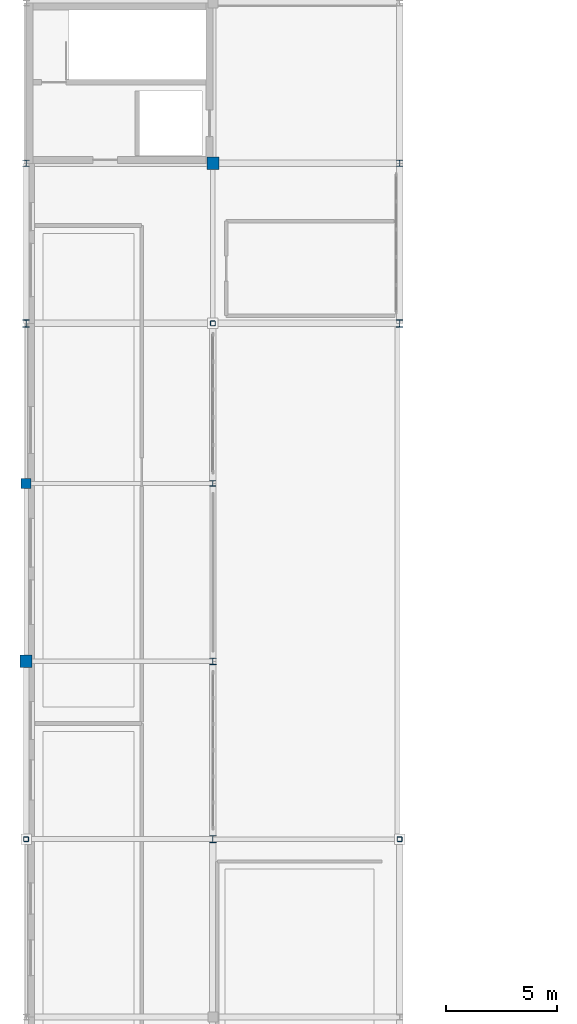
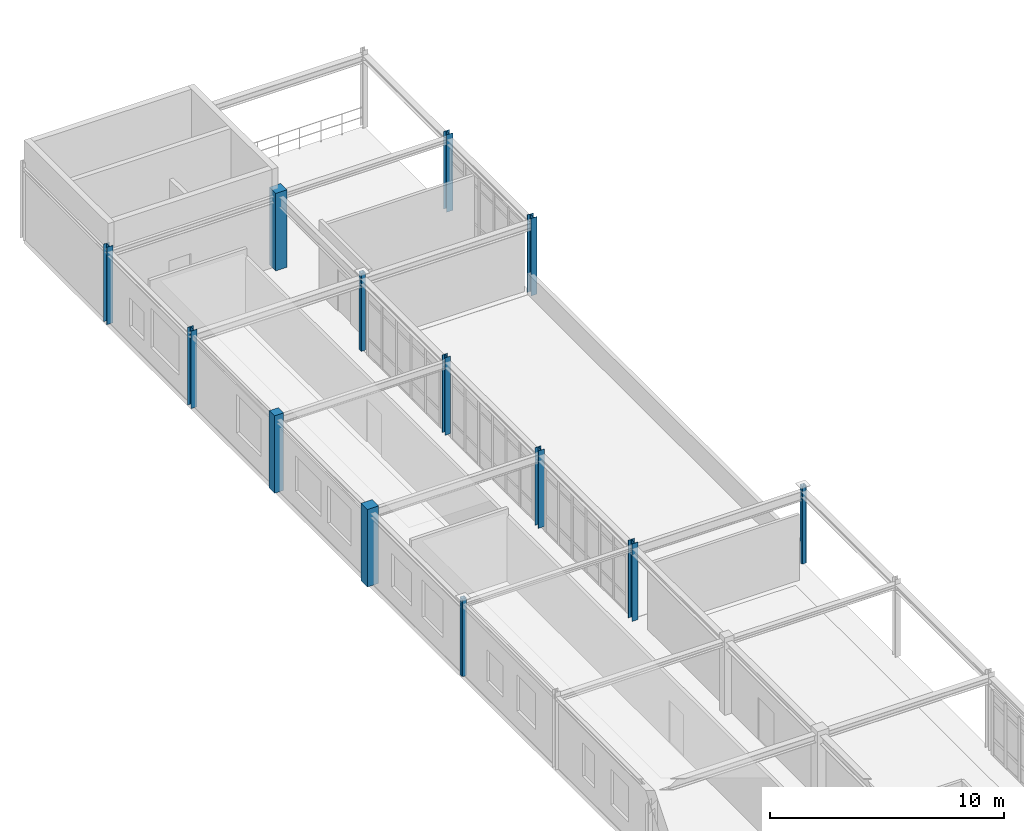
# One storey, part 2 of 58: 13 columns.
"""IFC4 building model written with IfcOpenShell, lengths in metres."""

from ifc_helpers import new_model, si_unit, derived_unit, direction, frame, origin, origin_2d, place, context, subcontext, project, spatial, rectangle, hollow_rectangle, i_section, extrude, material, material_profile, profile_set, type_object, element, save


model = new_model("IFC4")

# Units and contexts
model_context = context("Model", 3, precision=1e-05, world=origin(), true_north=direction((0.0, 1.0)))
body_context = subcontext(model_context, "Body", "Model", "MODEL_VIEW")
ifc_project = project(units=[si_unit("LENGTHUNIT", "METRE"), si_unit("AREAUNIT", "SQUARE_METRE"), si_unit("VOLUMEUNIT", "CUBIC_METRE"), si_unit("PLANEANGLEUNIT", "RADIAN"), si_unit("MASSUNIT", "GRAM", prefix="KILO"), derived_unit("THERMALTRANSMITTANCEUNIT", [(si_unit("POWERUNIT", "WATT"), 1), (si_unit("AREAUNIT", "SQUARE_METRE"), -1), (si_unit("THERMODYNAMICTEMPERATUREUNIT", "KELVIN"), -1)])], contexts=[model_context])

# Site, building, storey
site_placement = place(None, origin())
site = spatial("IfcSite", under=ifc_project, at=site_placement, CompositionType="ELEMENT")
building_placement = place(site_placement, origin())
building = spatial("IfcBuilding", under=site, at=building_placement, Name="Yasenodar Specialist Clinic", CompositionType="ELEMENT")
storey_placement = place(building_placement, frame((0.0, 0.0, 21.300048828125)))
storey = spatial("IfcBuildingStorey", under=building, at=storey_placement, Name="L05", CompositionType="ELEMENT", Elevation=21.300048828125)

# Columns
ifc_material_1 = material(Name="Concrete C35/45", Category="concrete")
ifc_material_profile_1 = material_profile(ifc_material_1, rectangle(XDim=0.449951171875, YDim=0.449951171875, at=origin_2d()), Name="RC 450x450")
ifc_profile_set_1 = profile_set([ifc_material_profile_1], Name="Concrete C35/45")
column_type_1 = type_object("IfcColumnType", Name="COL-RC-450", PredefinedType="COLUMN", material=ifc_profile_set_1)
column_1_placement = place(storey_placement, frame((0.0, 82.800048828125, 0.0), z_axis=(0.0, 0.0, 1.0), x_axis=(1.0, 0.0, 0.0)))
element("IfcColumn", 1, at=column_1_placement, inside=storey, type_object=column_type_1, Name="L05 Column V4-011", PredefinedType="COLUMN", context=body_context, shape_type="SweptSolid", body=[
    extrude(rectangle(XDim=0.449951171875, YDim=0.449951171875, at=origin_2d()), origin(), (0.0, 0.0, 1.0), 4.050048828125),
])
ifc_material_profile_2 = material_profile(ifc_material_1, rectangle(XDim=0.550048828125, YDim=0.550048828125, at=origin_2d()), Name="RC 550x550")
ifc_profile_set_2 = profile_set([ifc_material_profile_2], Name="Concrete C35/45")
column_type_2 = type_object("IfcColumnType", Name="COL-RC-550", PredefinedType="COLUMN", material=ifc_profile_set_2)
for number, where, z_axis, x_axis, name in (
    (2, (0.0, 74.800048828125, 0.0), (0.0, 0.0, 1.0), (1.0, 0.0, 0.0), "L05 Column V4-010"),
    (3, (8.39990234375, 97.199951171875, 0.0), (0.0, 0.0, 1.0), (1.0, 0.0, 0.0), "L05 Column V4-028"),
):
    element("IfcColumn", number, at=place(storey_placement, frame(where, z_axis=z_axis, x_axis=x_axis)), inside=storey, type_object=column_type_2, Name=name, PredefinedType="COLUMN", context=body_context, shape_type="SweptSolid", body=[
        extrude(rectangle(XDim=0.550048828125, YDim=0.550048828125, at=origin_2d()), origin(), (0.0, 0.0, 1.0), 4.050048828125),
    ])
ifc_material_2 = material(Name="Steel S355", Category="steel")
ifc_material_profile_3 = material_profile(ifc_material_2, i_section(OverallWidth=0.260009765625, OverallDepth=0.25, WebThickness=0.007568359375, FlangeThickness=0.012451171875, FilletRadius=0.02392578125, at=origin_2d()), Name="HEA 260")
ifc_profile_set_3 = profile_set([ifc_material_profile_3], Name="Steel S355")
column_type_3 = type_object("IfcColumnType", Name="COL-ST-HEA260", PredefinedType="COLUMN", material=ifc_profile_set_3)
column_2_placement = place(storey_placement, frame((8.39990234375, 82.800048828125, 0.0), z_axis=(0.0, 0.0, 1.0), x_axis=(1.0, 0.0, 0.0)))
element("IfcColumn", 4, at=column_2_placement, inside=storey, type_object=column_type_3, Name="L05 Column V4-026", PredefinedType="COLUMN", context=body_context, shape_type="SweptSolid", body=[
    extrude(i_section(OverallWidth=0.260009765625, OverallDepth=0.25, WebThickness=0.007568359375, FlangeThickness=0.012451171875, FilletRadius=0.02392578125, at=origin_2d()), origin(), (0.0, 0.0, 1.0), 4.050048828125),
])
ifc_material_profile_4 = material_profile(ifc_material_2, i_section(OverallWidth=0.300048828125, OverallDepth=0.2900390625, WebThickness=0.008544921875, FlangeThickness=0.013916015625, FilletRadius=0.027099609375, at=origin_2d()), Name="HEA 300")
ifc_profile_set_4 = profile_set([ifc_material_profile_4], Name="Steel S355")
column_type_4 = type_object("IfcColumnType", Name="COL-ST-HEA300", PredefinedType="COLUMN", material=ifc_profile_set_4)
for number, where, z_axis, x_axis, name in (
    (5, (0.0, 97.199951171875, 0.0), (0.0, 0.0, 1.0), (1.0, 0.0, 0.0), "L05 Column V4-013"),
    (6, (8.39990234375, 74.800048828125, 0.0), (0.0, 0.0, 1.0), (1.0, 0.0, 0.0), "L05 Column V4-025"),
    (7, (16.800048828125, 97.199951171875, 0.0), (0.0, 0.0, 1.0), (1.0, 0.0, 0.0), "L05 Column V4-043"),
):
    element("IfcColumn", number, at=place(storey_placement, frame(where, z_axis=z_axis, x_axis=x_axis)), inside=storey, type_object=column_type_4, Name=name, PredefinedType="COLUMN", context=body_context, shape_type="SweptSolid", body=[
        extrude(i_section(OverallWidth=0.300048828125, OverallDepth=0.2900390625, WebThickness=0.008544921875, FlangeThickness=0.013916015625, FilletRadius=0.027099609375, at=origin_2d()), origin(), (0.0, 0.0, 1.0), 4.050048828125),
    ])
ifc_material_profile_5 = material_profile(ifc_material_2, i_section(OverallWidth=0.300048828125, OverallDepth=0.330078125, WebThickness=0.009521484375, FlangeThickness=0.0166015625, FilletRadius=0.027099609375, at=origin_2d()), Name="HEA 340")
ifc_profile_set_5 = profile_set([ifc_material_profile_5], Name="Steel S355")
column_type_5 = type_object("IfcColumnType", Name="COL-ST-HEA340", PredefinedType="COLUMN", material=ifc_profile_set_5)
for number, where, z_axis, x_axis, name in (
    (8, (0.0, 90.0, 0.0), (0.0, 0.0, 1.0), (1.0, 0.0, 0.0), "L05 Column V4-012"),
    (9, (8.39990234375, 66.800048828125, 0.0), (0.0, 0.0, 1.0), (1.0, 0.0, 0.0), "L05 Column V4-024"),
    (10, (16.800048828125, 90.0, 0.0), (0.0, 0.0, 1.0), (1.0, 0.0, 0.0), "L05 Column V4-042"),
):
    element("IfcColumn", number, at=place(storey_placement, frame(where, z_axis=z_axis, x_axis=x_axis)), inside=storey, type_object=column_type_5, Name=name, PredefinedType="COLUMN", context=body_context, shape_type="SweptSolid", body=[
        extrude(i_section(OverallWidth=0.300048828125, OverallDepth=0.330078125, WebThickness=0.009521484375, FlangeThickness=0.0166015625, FilletRadius=0.027099609375, at=origin_2d()), origin(), (0.0, 0.0, 1.0), 4.050048828125),
    ])
ifc_material_profile_6 = material_profile(ifc_material_2, hollow_rectangle(XDim=0.219970703125, YDim=0.219970703125, WallThickness=0.012451171875, InnerFilletRadius=0.018798828125, OuterFilletRadius=0.03125, at=origin_2d()), Name="SHS 220x220x12.5")
ifc_profile_set_6 = profile_set([ifc_material_profile_6], Name="Steel S355")
column_type_6 = type_object("IfcColumnType", Name="COL-ST-SHS220", PredefinedType="COLUMN", material=ifc_profile_set_6)
for number, where, z_axis, x_axis, name in (
    (11, (0.0, 66.800048828125, 0.0), (0.0, 0.0, 1.0), (1.0, 0.0, 0.0), "L05 Column V4-009"),
    (12, (8.39990234375, 90.0, 0.0), (0.0, 0.0, 1.0), (1.0, 0.0, 0.0), "L05 Column V4-027"),
    (13, (16.800048828125, 66.800048828125, 0.0), (0.0, 0.0, 1.0), (1.0, 0.0, 0.0), "L05 Column V4-039"),
):
    element("IfcColumn", number, at=place(storey_placement, frame(where, z_axis=z_axis, x_axis=x_axis)), inside=storey, type_object=column_type_6, Name=name, PredefinedType="COLUMN", context=body_context, shape_type="SweptSolid", body=[
        extrude(hollow_rectangle(XDim=0.219970703125, YDim=0.219970703125, WallThickness=0.012451171875, InnerFilletRadius=0.018798828125, OuterFilletRadius=0.03125, at=origin_2d()), origin(), (0.0, 0.0, 1.0), 4.050048828125),
    ])

save(model, "model.ifc")
